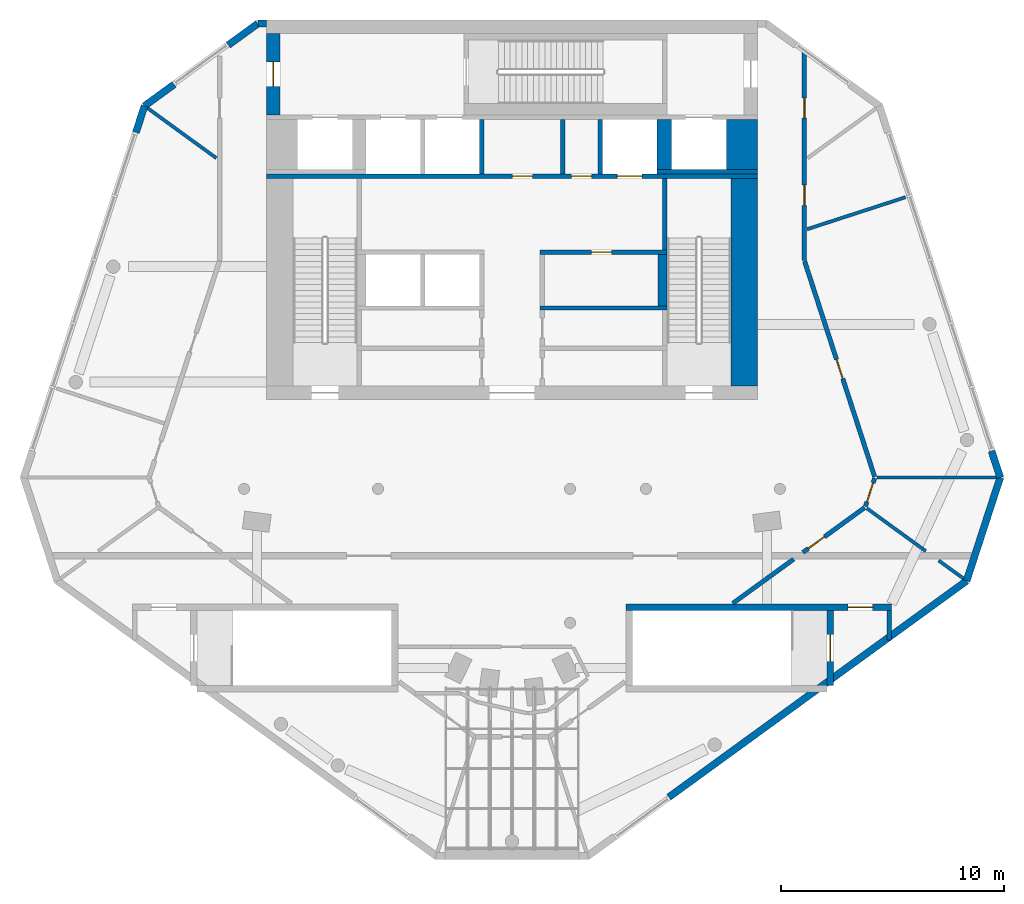
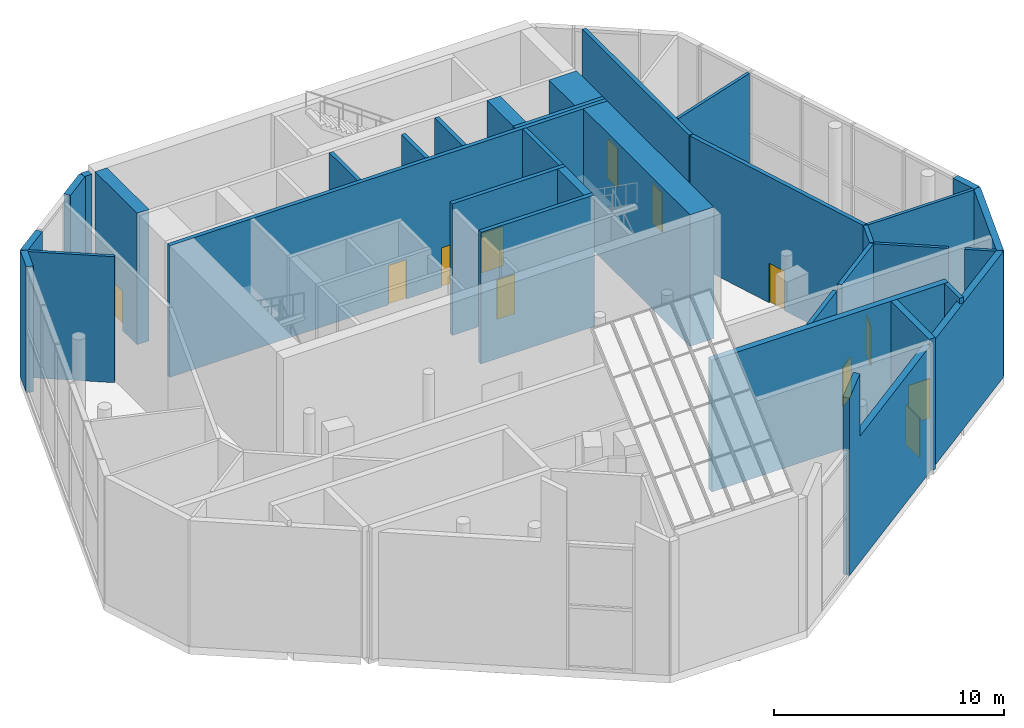
# One storey, part 6 of 9: 33 walls, 12 doors, 12 openings.
"""IFC4 building model written with IfcOpenShell, lengths in metres."""

from ifc_helpers import new_model, si_unit, direction, frame, frame_2d, origin, place, context, subcontext, project, spatial, polyline, rectangle, outline, extrude, material, layer, layer_set, type_object, element, fill, save


model = new_model("IFC4")

# Units and contexts
model_context = context("Model", 3, precision=1e-05, world=origin(), true_north=direction((0.0, 1.0)))
body_context = subcontext(model_context, "Body", "Model", "MODEL_VIEW")
ifc_project = project(units=[si_unit("LENGTHUNIT", "METRE"), si_unit("AREAUNIT", "SQUARE_METRE"), si_unit("VOLUMEUNIT", "CUBIC_METRE"), si_unit("PLANEANGLEUNIT", "RADIAN"), si_unit("MASSUNIT", "GRAM", prefix="KILO")], contexts=[model_context])

# Site, building, storey
site_placement = place(None, origin())
site = spatial("IfcSite", under=ifc_project, at=site_placement, CompositionType="ELEMENT")
building_placement = place(site_placement, origin())
building = spatial("IfcBuilding", under=site, at=building_placement, Name="White Candle Pilgrim Tower", CompositionType="ELEMENT")
storey_placement = place(building_placement, frame((0.0, 0.0, 321.699951171875)))
storey = spatial("IfcBuildingStorey", under=building, at=storey_placement, Name="L76", CompositionType="ELEMENT", Elevation=321.699951171875)

# Walls
ifc_material_1 = material(Name="Concrete C40/50", Category="concrete")
ifc_layer_1 = layer(ifc_material_1, 1.39990234375)
ifc_layer_set_1 = layer_set([ifc_layer_1], Name="Core wall 1400 mm Concrete C40/50")
wall_type_1 = type_object("IfcWallType", Name="Core wall 1400 mm Concrete C40/50", PredefinedType="SHEAR", material=ifc_layer_set_1)
wall_1_placement = place(storey_placement, frame((80.300048828125, 81.300048828125, 0.0), z_axis=(0.0, 0.0, 1.0), x_axis=(0.0, 1.0, 0.0)))
element("IfcWall", 1, at=wall_1_placement, inside=storey, type_object=wall_type_1, Name="WL-L76-C45", PredefinedType="SHEAR", context=body_context, shape_type="SweptSolid", body=[
    extrude(rectangle(XDim=2.25, YDim=1.39990234375, at=frame_2d((1.125, 0.0))), origin(), (0.0, 0.0, 1.0), 7.0),
])
ifc_layer_2 = layer(ifc_material_1, 0.199951171875)
ifc_layer_set_2 = layer_set([ifc_layer_2], Name="Core wall 200 mm Concrete C40/50")
wall_type_2 = type_object("IfcWallType", Name="Core wall 200 mm Concrete C40/50", PredefinedType="SHEAR", material=ifc_layer_set_2)
wall_2_placement = place(storey_placement, frame((86.89990234375, 60.238037109375, 0.0), z_axis=(0.0, 0.0, 1.0), x_axis=(0.0, 1.0, 0.0)))
element("IfcWall", 2, at=wall_2_placement, inside=storey, type_object=wall_type_2, Name="WL-L76-C08", PredefinedType="SHEAR", context=body_context, shape_type="SweptSolid", body=[
    extrude(rectangle(XDim=1.31201171875, YDim=0.199951171875, at=frame_2d((0.656005859375, 0.0))), origin(), (0.0, 0.0, 1.0), 7.0),
])
wall_3_placement = place(storey_placement, frame((76.5, 81.199951171875, 0.0), z_axis=(0.0, 0.0, 1.0), x_axis=(1.0, 0.0, 0.0)))
element("IfcWall", 3, at=wall_3_placement, inside=storey, type_object=wall_type_2, Name="WL-L76-C41", PredefinedType="SHEAR", context=body_context, shape_type="SweptSolid", body=[
    extrude(rectangle(XDim=4.5, YDim=0.199951171875, at=frame_2d((2.25, 0.0))), origin(), (0.0, 0.0, 1.0), 7.0),
])

# Wall, opening, door
ifc_layer_3 = layer(ifc_material_1, 0.60009765625)
ifc_layer_set_3 = layer_set([ifc_layer_3], Name="Core wall 600 mm Concrete C40/50")
wall_type_3 = type_object("IfcWallType", Name="Core wall 600 mm Concrete C40/50", PredefinedType="SHEAR", material=ifc_layer_set_3)
wall_4_placement = place(storey_placement, frame((59.300048828125, 83.75, 0.0), z_axis=(0.0, 0.0, 1.0), x_axis=(0.0, 1.0, 0.0)))
wall_4 = element("IfcWall", 4, at=wall_4_placement, inside=storey, type_object=wall_type_3, Name="WL-L76-C47", PredefinedType="SHEAR", context=body_context, shape_type="SweptSolid", body=[
    extrude(rectangle(XDim=3.64990234375, YDim=0.60009765625, at=frame_2d((1.824951171875, 0.0))), origin(), (0.0, 0.0, 1.0), 7.0),
])
opening_1_placement = place(wall_4_placement, frame((1.27490234375, 0.0, 0.0)))
opening_1 = element("IfcOpeningElement", 5, at=opening_1_placement, cuts=wall_4, Name="Opening L76-009", PredefinedType="OPENING", context=body_context, shape_type="SweptSolid", body=[
    extrude(rectangle(XDim=1.10009765625, YDim=2.10009765625, at=frame_2d((0.550048828125, 1.050048828125))), frame((0.0, 0.31005859375, 0.0), z_axis=(0.0, -1.0, 0.0), x_axis=(1.0, 0.0, 0.0)), (0.0, 0.0, 1.0), 0.6201171875),
])
ifc_material_2 = material(Name="Steel door leaf", Category="steel")
door_type_1 = type_object("IfcDoorType", Name="Fire door 1100 x 2100 EI 60", OperationType="NOTDEFINED", PredefinedType="DOOR", material=ifc_material_2)
door_1_placement = place(opening_1_placement, origin())
door_1 = element("IfcDoor", 6, at=door_1_placement, inside=storey, type_object=door_type_1, Name="Door L76-009", OperationType="SINGLE_SWING_LEFT", OverallHeight=2.10009765625, OverallWidth=1.10009765625, PredefinedType="DOOR", context=body_context, shape_type="SweptSolid", body=[
    extrude(rectangle(XDim=1.10009765625, YDim=2.10009765625, at=frame_2d((0.550048828125, 1.050048828125))), frame((0.0, 0.02490234375, 0.0), z_axis=(0.0, -1.0, 0.0), x_axis=(1.0, 0.0, 0.0)), (0.0, 0.0, 1.0), 0.050048828125),
])
fill(opening_1, door_1)

# Wall, openings, doors
ifc_material_3 = material(Name="Gypsum board on steel studs", Category="steel")
ifc_layer_4 = layer(ifc_material_3, 0.199951171875)
ifc_layer_set_4 = layer_set([ifc_layer_4], Name="Corridor wall 200 mm EI 45")
wall_type_4 = type_object("IfcWallType", Name="Corridor wall 200 mm EI 45", PredefinedType="PARTITIONING", material=ifc_layer_set_4)
wall_5_placement = place(storey_placement, frame((83.10009765625, 86.53466796875, 0.0), z_axis=(0.0, 0.0, 1.0), x_axis=(0.0, -1.0, 0.0)))
wall_5 = element("IfcWall", 7, at=wall_5_placement, inside=storey, type_object=wall_type_4, Name="WL-L76-P002", PredefinedType="PARTITIONING", context=body_context, shape_type="SweptSolid", body=[
    extrude(rectangle(XDim=9.30517578125, YDim=0.199951171875, at=frame_2d((4.652587890625, 0.0))), origin(), (0.0, 0.0, 1.0), 6.699951171875),
])
opening_2_placement = place(wall_5_placement, frame((5.93310546875, 0.0, 0.0)))
opening_2 = element("IfcOpeningElement", 8, at=opening_2_placement, cuts=wall_5, Name="Opening L76-110", PredefinedType="OPENING", context=body_context, shape_type="SweptSolid", body=[
    extrude(rectangle(XDim=0.89990234375, YDim=2.10009765625, at=frame_2d((0.449951171875, 1.050048828125))), frame((0.0, 0.10986328125, 0.0), z_axis=(0.0, -1.0, 0.0), x_axis=(1.0, 0.0, 0.0)), (0.0, 0.0, 1.0), 0.219970703125),
])
opening_3_placement = place(wall_5_placement, frame((2.03076171875, 0.0, 0.0)))
opening_3 = element("IfcOpeningElement", 9, at=opening_3_placement, cuts=wall_5, Name="Opening L76-111", PredefinedType="OPENING", context=body_context, shape_type="SweptSolid", body=[
    extrude(rectangle(XDim=0.89990234375, YDim=2.10009765625, at=frame_2d((0.449951171875, 1.050048828125))), frame((0.0, 0.10986328125, 0.0), z_axis=(0.0, -1.0, 0.0), x_axis=(1.0, 0.0, 0.0)), (0.0, 0.0, 1.0), 0.219970703125),
])
door_type_2 = type_object("IfcDoorType", Name="Fire door 900 x 2100 EI 30", OperationType="NOTDEFINED", PredefinedType="DOOR", material=ifc_material_2)
door_2_placement = place(opening_2_placement, origin())
door_2 = element("IfcDoor", 10, at=door_2_placement, inside=storey, type_object=door_type_2, Name="Door L76-110", OperationType="SINGLE_SWING_RIGHT", OverallHeight=2.10009765625, OverallWidth=0.89990234375, PredefinedType="DOOR", context=body_context, shape_type="SweptSolid", body=[
    extrude(rectangle(XDim=0.89990234375, YDim=2.10009765625, at=frame_2d((0.449951171875, 1.050048828125))), frame((0.0, 0.02490234375, 0.0), z_axis=(0.0, -1.0, 0.0), x_axis=(1.0, 0.0, 0.0)), (0.0, 0.0, 1.0), 0.050048828125),
])
fill(opening_2, door_2)
door_3_placement = place(opening_3_placement, origin())
door_3 = element("IfcDoor", 11, at=door_3_placement, inside=storey, type_object=door_type_2, Name="Door L76-111", OperationType="SINGLE_SWING_LEFT", OverallHeight=2.10009765625, OverallWidth=0.89990234375, PredefinedType="DOOR", context=body_context, shape_type="SweptSolid", body=[
    extrude(rectangle(XDim=0.89990234375, YDim=2.10009765625, at=frame_2d((0.449951171875, 1.050048828125))), frame((0.0, 0.02490234375, 0.0), z_axis=(0.0, -1.0, 0.0), x_axis=(1.0, 0.0, 0.0)), (0.0, 0.0, 1.0), 0.050048828125),
])
fill(opening_3, door_3)

# Wall, opening, door
wall_6_placement = place(storey_placement, frame((83.10498046875, 77.19873046875, 0.0), z_axis=(0.0, 0.0, 1.0), x_axis=(0.309014322992, -0.951057384276, 0.0)))
wall_6 = element("IfcWall", 12, at=wall_6_placement, inside=storey, type_object=wall_type_4, Name="WL-L76-P003", PredefinedType="PARTITIONING", context=body_context, shape_type="SweptSolid", body=[
    extrude(rectangle(XDim=10.15625, YDim=0.199951171875, at=frame_2d((5.078125, 0.0))), origin(), (0.0, 0.0, 1.0), 6.699951171875),
])
opening_4_placement = place(wall_6_placement, frame((4.636474609375, 0.0, 0.0)))
opening_4 = element("IfcOpeningElement", 13, at=opening_4_placement, cuts=wall_6, Name="Opening L76-109", PredefinedType="OPENING", context=body_context, shape_type="SweptSolid", body=[
    extrude(rectangle(XDim=0.89990234375, YDim=2.10009765625, at=frame_2d((0.449951171875, 1.050048828125))), frame((0.0, 0.10986328125, 0.0), z_axis=(0.0, -1.0, 0.0), x_axis=(1.0, 0.0, 0.0)), (0.0, 0.0, 1.0), 0.219970703125),
])
door_4_placement = place(opening_4_placement, origin())
door_4 = element("IfcDoor", 14, at=door_4_placement, inside=storey, type_object=door_type_2, Name="Door L76-109", OperationType="SINGLE_SWING_LEFT", OverallHeight=2.10009765625, OverallWidth=0.89990234375, PredefinedType="DOOR", context=body_context, shape_type="SweptSolid", body=[
    extrude(rectangle(XDim=0.89990234375, YDim=2.10009765625, at=frame_2d((0.449951171875, 1.050048828125))), frame((0.0, 0.02490234375, 0.0), z_axis=(0.0, -1.0, 0.0), x_axis=(1.0, 0.0, 0.0)), (0.0, 0.0, 1.0), 0.050048828125),
])
fill(opening_4, door_4)

wall_7_placement = place(storey_placement, frame((86.243408203125, 67.477783203125, 0.0), z_axis=(0.0, 0.0, 1.0), x_axis=(-0.309069492054, -0.951039457163, 0.0)))
wall_7 = element("IfcWall", 15, at=wall_7_placement, inside=storey, type_object=wall_type_4, Name="WL-L76-P004", PredefinedType="PARTITIONING", context=body_context, shape_type="SweptSolid", body=[
    extrude(rectangle(XDim=1.331787109375, YDim=0.199951171875, at=frame_2d((0.666015625, 0.0))), origin(), (0.0, 0.0, 1.0), 6.699951171875),
])
opening_5_placement = place(wall_7_placement, frame((0.2158203125, 0.0, 0.0)))
opening_5 = element("IfcOpeningElement", 16, at=opening_5_placement, cuts=wall_7, Name="Opening L76-116", PredefinedType="OPENING", context=body_context, shape_type="SweptSolid", body=[
    extrude(rectangle(XDim=0.89990234375, YDim=2.10009765625, at=frame_2d((0.449951171875, 1.050048828125))), frame((0.0, 0.10986328125, 0.0), z_axis=(0.0, -1.0, 0.0), x_axis=(1.0, 0.0, 0.0)), (0.0, 0.0, 1.0), 0.219970703125),
])
door_5_placement = place(opening_5_placement, origin())
door_5 = element("IfcDoor", 17, at=door_5_placement, inside=storey, type_object=door_type_2, Name="Door L76-116", OperationType="SINGLE_SWING_RIGHT", OverallHeight=2.10009765625, OverallWidth=0.89990234375, PredefinedType="DOOR", context=body_context, shape_type="SweptSolid", body=[
    extrude(rectangle(XDim=0.89990234375, YDim=2.10009765625, at=frame_2d((0.449951171875, 1.050048828125))), frame((0.0, 0.02490234375, 0.0), z_axis=(0.0, -1.0, 0.0), x_axis=(1.0, 0.0, 0.0)), (0.0, 0.0, 1.0), 0.050048828125),
])
fill(opening_5, door_5)

wall_8_placement = place(storey_placement, frame((85.795654296875, 66.161376953125, 0.0), z_axis=(0.0, 0.0, 1.0), x_axis=(-0.80899208188, -0.587819539872, 0.0)))
wall_8 = element("IfcWall", 18, at=wall_8_placement, inside=storey, type_object=wall_type_4, Name="WL-L76-P005", PredefinedType="PARTITIONING", context=body_context, shape_type="SweptSolid", body=[
    extrude(rectangle(XDim=3.421875, YDim=0.199951171875, at=frame_2d((1.7109375, 0.0))), origin(), (0.0, 0.0, 1.0), 6.699951171875),
])
opening_6_placement = place(wall_8_placement, frame((2.21875, 0.0, 0.0)))
opening_6 = element("IfcOpeningElement", 19, at=opening_6_placement, cuts=wall_8, Name="Opening L76-108", PredefinedType="OPENING", context=body_context, shape_type="SweptSolid", body=[
    extrude(rectangle(XDim=0.89990234375, YDim=2.10009765625, at=frame_2d((0.449951171875, 1.050048828125))), frame((0.0, 0.10986328125, 0.0), z_axis=(0.0, -1.0, 0.0), x_axis=(1.0, 0.0, 0.0)), (0.0, 0.0, 1.0), 0.219970703125),
])
door_6_placement = place(opening_6_placement, origin())
door_6 = element("IfcDoor", 20, at=door_6_placement, inside=storey, type_object=door_type_2, Name="Door L76-108", OperationType="SINGLE_SWING_RIGHT", OverallHeight=2.10009765625, OverallWidth=0.89990234375, PredefinedType="DOOR", context=body_context, shape_type="SweptSolid", body=[
    extrude(rectangle(XDim=0.89990234375, YDim=2.10009765625, at=frame_2d((0.449951171875, 1.050048828125))), frame((0.0, 0.02490234375, 0.0), z_axis=(0.0, -1.0, 0.0), x_axis=(1.0, 0.0, 0.0)), (0.0, 0.0, 1.0), 0.050048828125),
])
fill(opening_6, door_6)

# Walls
wall_9_placement = place(storey_placement, frame((82.614501953125, 63.85009765625, 0.0), z_axis=(0.0, 0.0, 1.0), x_axis=(-0.809017922832, -0.587783974379, 0.0)))
element("IfcWall", 21, at=wall_9_placement, inside=storey, type_object=wall_type_4, Name="WL-L76-P006", PredefinedType="PARTITIONING", context=body_context, shape_type="SweptSolid", body=[
    extrude(rectangle(XDim=3.3701171875, YDim=0.199951171875, at=frame_2d((1.68505859375, 0.0))), origin(), (0.0, 0.0, 1.0), 6.699951171875),
])
ifc_material_4 = material(Name="Precast concrete C40/50", Category="concrete")
ifc_layer_5 = layer(ifc_material_4, 0.320068359375)
ifc_layer_set_5 = layer_set([ifc_layer_5], Name="Facade wall EW1 precast concrete C40/50 pier wall with timber-lined reveals")
wall_type_5 = type_object("IfcWallType", Name="Facade wall EW1 precast concrete C40/50 pier wall with timber-lined reveals", PredefinedType="SOLIDWALL", material=ifc_layer_set_5)
wall_10_placement = place(storey_placement, frame((77.02587890625, 53.18896484375, 0.0), z_axis=(0.0, 0.0, 1.0), x_axis=(0.809009420969, 0.587795676051, 0.0)))
element("IfcWall", 22, at=wall_10_placement, inside=storey, type_object=wall_type_5, Name="Facade wall L76 SE", PredefinedType="SOLIDWALL", context=body_context, shape_type="SweptSolid", body=[
    extrude(outline(polyline([(0.0, 0.0), (16.4873046875, 0.0), (16.4853515625, 6.699951171875), (1.125732421875, 6.699951171875), (1.123779296875, 10.011962890625), (0.0, 9.42724609375), (0.0, 0.0)])), frame((0.0, 0.16015625, 0.0), z_axis=(0.0, -1.0, 0.0), x_axis=(1.0, 0.0, 0.0)), (0.0, 0.0, 1.0), 0.320068359375),
])
wall_11_placement = place(storey_placement, frame((90.3642578125, 62.880126953125, 0.0), z_axis=(0.0, 0.0, 1.0), x_axis=(0.309024817117, 0.951053974497, 0.0)))
element("IfcWall", 23, at=wall_11_placement, inside=storey, type_object=wall_type_5, Name="Facade wall L76 E chamfer", PredefinedType="SOLIDWALL", context=body_context, shape_type="SweptSolid", body=[
    extrude(rectangle(XDim=4.86669921875, YDim=0.320068359375, at=frame_2d((2.433349609375, 0.0))), origin(), (0.0, 0.0, 1.0), 6.699951171875),
])
wall_12_placement = place(storey_placement, frame((91.8681640625, 67.508544921875, 0.0), z_axis=(0.0, 0.0, 1.0), x_axis=(-0.308896217873, 0.951095750481, 0.0)))
element("IfcWall", 24, at=wall_12_placement, inside=storey, type_object=wall_type_5, Name="Facade wall L76 ENE", PredefinedType="SOLIDWALL", context=body_context, shape_type="SweptSolid", body=[
    extrude(rectangle(XDim=1.250244140625, YDim=0.320068359375, at=frame_2d((0.625, 0.0))), origin(), (0.0, 0.0, 1.0), 6.699951171875),
])
wall_13_placement = place(storey_placement, frame((59.0, 87.840087890625, 0.0), z_axis=(0.0, 0.0, 1.0), x_axis=(-1.0, 0.0, 0.0)))
element("IfcWall", 25, at=wall_13_placement, inside=storey, type_object=wall_type_5, Name="Facade wall L76 N", PredefinedType="SOLIDWALL", context=body_context, shape_type="SweptSolid", body=[
    extrude(rectangle(XDim=0.385009765625, YDim=0.320068359375, at=frame_2d((0.1923828125, 0.0))), origin(), (0.0, 0.0, 1.0), 6.699951171875),
])
wall_14_placement = place(storey_placement, frame((58.614990234375, 87.840087890625, 0.0), z_axis=(0.0, 0.0, 1.0), x_axis=(-0.809000445028, -0.58780802984, 0.0)))
element("IfcWall", 26, at=wall_14_placement, inside=storey, type_object=wall_type_5, Name="Facade wall L76 NW chamfer", PredefinedType="SOLIDWALL", context=body_context, shape_type="SweptSolid", body=[
    extrude(rectangle(XDim=1.636962890625, YDim=0.320068359375, at=frame_2d((0.818359375, 0.0))), origin(), (0.0, 0.0, 1.0), 6.699951171875),
])
wall_15_placement = place(storey_placement, frame((54.86376953125, 85.11474609375, 0.0), z_axis=(0.0, 0.0, 1.0), x_axis=(-0.808948900957, -0.587878963428, 0.0)))
element("IfcWall", 27, at=wall_15_placement, inside=storey, type_object=wall_type_5, Name="Facade wall L76 NW chamfer", PredefinedType="SOLIDWALL", context=body_context, shape_type="SweptSolid", body=[
    extrude(rectangle(XDim=1.63671875, YDim=0.320068359375, at=frame_2d((0.818359375, 0.0))), origin(), (0.0, 0.0, 1.0), 6.699951171875),
])
wall_16_placement = place(storey_placement, frame((53.539794921875, 84.152587890625, 0.0), z_axis=(0.0, 0.0, 1.0), x_axis=(-0.309130228309, -0.951019716907, 0.0)))
element("IfcWall", 28, at=wall_16_placement, inside=storey, type_object=wall_type_5, Name="Facade wall L76 WNW", PredefinedType="SOLIDWALL", context=body_context, shape_type="SweptSolid", body=[
    extrude(rectangle(XDim=1.250244140625, YDim=0.320068359375, at=frame_2d((0.625, 0.0))), origin(), (0.0, 0.0, 1.0), 6.699951171875),
])
ifc_layer_6 = layer(ifc_material_3, 0.199951171875)
ifc_layer_set_6 = layer_set([ifc_layer_6], Name="Lobby wall 200 mm EI 60")
wall_type_6 = type_object("IfcWallType", Name="Lobby wall 200 mm EI 60", PredefinedType="PARTITIONING", material=ifc_layer_set_6)
wall_17_placement = place(storey_placement, frame((72.280029296875, 81.10009765625, 0.0), z_axis=(0.0, 0.0, 1.0), x_axis=(0.0, 1.0, 0.0)))
element("IfcWall", 29, at=wall_17_placement, inside=storey, type_object=wall_type_6, Name="WL-L76-C39", PredefinedType="PARTITIONING", context=body_context, shape_type="SweptSolid", body=[
    extrude(rectangle(XDim=2.449951171875, YDim=0.199951171875, at=frame_2d((1.22509765625, 0.0))), origin(), (0.0, 0.0, 1.0), 6.699951171875),
])
ifc_layer_7 = layer(ifc_material_3, 0.14990234375)
ifc_layer_set_7 = layer_set([ifc_layer_7], Name="Partition 150 mm EI 60")
wall_type_7 = type_object("IfcWallType", Name="Partition 150 mm EI 60", PredefinedType="PARTITIONING", material=ifc_layer_set_7)
wall_18_placement = place(storey_placement, frame((53.67578125, 84.0537109375, 0.0), z_axis=(0.0, 0.0, 1.0), x_axis=(0.809018840269, -0.587782711629, 0.0)))
element("IfcWall", 30, at=wall_18_placement, inside=storey, type_object=wall_type_7, Name="WL-L76-P015", PredefinedType="PARTITIONING", context=body_context, shape_type="SweptSolid", body=[
    extrude(rectangle(XDim=3.80712890625, YDim=0.14990234375, at=frame_2d((1.903564453125, 0.0))), origin(), (0.0, 0.0, 1.0), 6.699951171875),
])
wall_19_placement = place(storey_placement, frame((90.228271484375, 62.97900390625, 0.0), z_axis=(0.0, 0.0, 1.0), x_axis=(-0.809065225247, 0.587718862464, 0.0)))
element("IfcWall", 31, at=wall_19_placement, inside=storey, type_object=wall_type_7, Name="WL-L76-P021", PredefinedType="PARTITIONING", context=body_context, shape_type="SweptSolid", body=[
    extrude(rectangle(XDim=1.378662109375, YDim=0.14990234375, at=frame_2d((0.689453125, 0.0))), origin(), (0.0, 0.0, 1.0), 6.699951171875),
])
wall_20_placement = place(storey_placement, frame((88.532958984375, 64.210693359375, 0.0), z_axis=(0.0, 0.0, 1.0), x_axis=(-0.809030138474, 0.587767160567, 0.0)))
element("IfcWall", 32, at=wall_20_placement, inside=storey, type_object=wall_type_7, Name="WL-L76-P022", PredefinedType="PARTITIONING", context=body_context, shape_type="SweptSolid", body=[
    extrude(rectangle(XDim=3.26611328125, YDim=0.14990234375, at=frame_2d((1.633056640625, 0.0))), origin(), (0.0, 0.0, 1.0), 6.699951171875),
])
wall_21_placement = place(storey_placement, frame((91.699951171875, 67.508544921875, 0.0), z_axis=(0.0, 0.0, 1.0), x_axis=(-1.0, 0.0, 0.0)))
element("IfcWall", 33, at=wall_21_placement, inside=storey, type_object=wall_type_7, Name="WL-L76-P023", PredefinedType="PARTITIONING", context=body_context, shape_type="SweptSolid", body=[
    extrude(rectangle(XDim=5.361572265625, YDim=0.14990234375, at=frame_2d((2.6806640625, 0.0))), origin(), (0.0, 0.0, 1.0), 6.699951171875),
])
wall_22_placement = place(storey_placement, frame((87.62158203125, 80.060791015625, 0.0), z_axis=(0.0, 0.0, 1.0), x_axis=(-0.951068201984, -0.30898102721, 0.0)))
element("IfcWall", 34, at=wall_22_placement, inside=storey, type_object=wall_type_7, Name="WL-L76-P026", PredefinedType="PARTITIONING", context=body_context, shape_type="SweptSolid", body=[
    extrude(rectangle(XDim=4.624755859375, YDim=0.14990234375, at=frame_2d((2.3125, 0.0))), origin(), (0.0, 0.0, 1.0), 6.699951171875),
])
ifc_layer_8 = layer(ifc_material_1, 0.199951171875)
ifc_layer_set_8 = layer_set([ifc_layer_8], Name="Shaft wall 200 mm Concrete C40/50")
wall_type_8 = type_object("IfcWallType", Name="Shaft wall 200 mm Concrete C40/50", PredefinedType="SHEAR", material=ifc_layer_set_8)
for number, where, z_axis, x_axis, name in (
    (35, (68.64990234375, 81.10009765625, 0.0), (0.0, 0.0, 1.0), (0.0, 1.0, 0.0), "WL-L76-C38"),
    (36, (73.949951171875, 81.10009765625, 0.0), (0.0, 0.0, 1.0), (0.0, 1.0, 0.0), "WL-L76-C40"),
):
    element("IfcWall", number, at=place(storey_placement, frame(where, z_axis=z_axis, x_axis=x_axis)), inside=storey, type_object=wall_type_8, Name=name, PredefinedType="SHEAR", context=body_context, shape_type="SweptSolid", body=[
        extrude(rectangle(XDim=2.449951171875, YDim=0.199951171875, at=frame_2d((1.22509765625, 0.0))), origin(), (0.0, 0.0, 1.0), 7.0),
    ])
ifc_layer_9 = layer(ifc_material_1, 0.64990234375)
ifc_layer_set_9 = layer_set([ifc_layer_9], Name="Shaft wall 650 mm Concrete C40/50")
wall_type_9 = type_object("IfcWallType", Name="Shaft wall 650 mm Concrete C40/50", PredefinedType="SHEAR", material=ifc_layer_set_9)
wall_23_placement = place(storey_placement, frame((76.824951171875, 81.300048828125, 0.0), z_axis=(0.0, 0.0, 1.0), x_axis=(0.0, 1.0, 0.0)))
element("IfcWall", 37, at=wall_23_placement, inside=storey, type_object=wall_type_9, Name="WL-L76-C44", PredefinedType="SHEAR", context=body_context, shape_type="SweptSolid", body=[
    extrude(rectangle(XDim=2.25, YDim=0.64990234375, at=frame_2d((1.125, 0.0))), origin(), (0.0, 0.0, 1.0), 7.0),
])
ifc_layer_10 = layer(ifc_material_1, 1.199951171875)
ifc_layer_set_10 = layer_set([ifc_layer_10], Name="Stair shaft wall 1200 mm Concrete C40/50")
wall_type_10 = type_object("IfcWallType", Name="Stair shaft wall 1200 mm Concrete C40/50", PredefinedType="SHEAR", material=ifc_layer_set_10)
wall_24_placement = place(storey_placement, frame((80.39990234375, 71.60009765625, 0.0), z_axis=(0.0, 0.0, 1.0), x_axis=(0.0, 1.0, 0.0)))
element("IfcWall", 38, at=wall_24_placement, inside=storey, type_object=wall_type_10, Name="WL-L76-C17", PredefinedType="SHEAR", context=body_context, shape_type="SweptSolid", body=[
    extrude(rectangle(XDim=9.2998046875, YDim=1.199951171875, at=frame_2d((4.64990234375, 0.0))), origin(), (0.0, 0.0, 1.0), 7.0),
])
ifc_layer_11 = layer(ifc_material_1, 0.199951171875)
ifc_layer_set_11 = layer_set([ifc_layer_11], Name="Stair shaft wall 200 mm Concrete C40/50")
wall_type_11 = type_object("IfcWallType", Name="Stair shaft wall 200 mm Concrete C40/50", PredefinedType="SHEAR", material=ifc_layer_set_11)
wall_25_placement = place(storey_placement, frame((71.25, 75.10009765625, 0.0), z_axis=(0.0, 0.0, 1.0), x_axis=(1.0, 0.0, 0.0)))
element("IfcWall", 39, at=wall_25_placement, inside=storey, type_object=wall_type_11, Name="WL-L76-C25", PredefinedType="SHEAR", context=body_context, shape_type="SweptSolid", body=[
    extrude(rectangle(XDim=5.699951171875, YDim=0.199951171875, at=frame_2d((2.85009765625, 0.0))), origin(), (0.0, 0.0, 1.0), 7.0),
])

# Wall, opening, door
wall_26_placement = place(storey_placement, frame((71.25, 77.60009765625, 0.0), z_axis=(0.0, 0.0, 1.0), x_axis=(1.0, 0.0, 0.0)))
wall_26 = element("IfcWall", 40, at=wall_26_placement, inside=storey, type_object=wall_type_11, Name="WL-L76-C32", PredefinedType="SHEAR", context=body_context, shape_type="SweptSolid", body=[
    extrude(rectangle(XDim=5.699951171875, YDim=0.199951171875, at=frame_2d((2.85009765625, 0.0))), origin(), (0.0, 0.0, 1.0), 7.0),
])
opening_7_placement = place(wall_26_placement, frame((2.300048828125, 0.0, 0.0)))
opening_7 = element("IfcOpeningElement", 41, at=opening_7_placement, cuts=wall_26, Name="Opening L76-020", PredefinedType="OPENING", context=body_context, shape_type="SweptSolid", body=[
    extrude(rectangle(XDim=0.89990234375, YDim=2.10009765625, at=frame_2d((0.449951171875, 1.050048828125))), frame((0.0, 0.10986328125, 0.0), z_axis=(0.0, -1.0, 0.0), x_axis=(1.0, 0.0, 0.0)), (0.0, 0.0, 1.0), 0.219970703125),
])
door_7_placement = place(opening_7_placement, origin())
door_7 = element("IfcDoor", 42, at=door_7_placement, inside=storey, type_object=door_type_2, Name="Door L76-020", OperationType="SINGLE_SWING_RIGHT", OverallHeight=2.10009765625, OverallWidth=0.89990234375, PredefinedType="DOOR", context=body_context, shape_type="SweptSolid", body=[
    extrude(rectangle(XDim=0.89990234375, YDim=2.10009765625, at=frame_2d((0.449951171875, 1.050048828125))), frame((0.0, 0.02490234375, 0.0), z_axis=(0.0, -1.0, 0.0), x_axis=(1.0, 0.0, 0.0)), (0.0, 0.0, 1.0), 0.050048828125),
])
fill(opening_7, door_7)

# Wall
wall_27_placement = place(storey_placement, frame((76.85009765625, 77.699951171875, 0.0), z_axis=(0.0, 0.0, 1.0), x_axis=(0.0, 1.0, 0.0)))
element("IfcWall", 43, at=wall_27_placement, inside=storey, type_object=wall_type_11, Name="WL-L76-C34", PredefinedType="SHEAR", context=body_context, shape_type="SweptSolid", body=[
    extrude(rectangle(XDim=3.199951171875, YDim=0.199951171875, at=frame_2d((1.60009765625, 0.0))), origin(), (0.0, 0.0, 1.0), 7.0),
])

# Wall, openings, doors
wall_28_placement = place(storey_placement, frame((59.0, 81.0, 0.0), z_axis=(0.0, 0.0, 1.0), x_axis=(1.0, 0.0, 0.0)))
wall_28 = element("IfcWall", 44, at=wall_28_placement, inside=storey, type_object=wall_type_11, Name="WL-L76-C35", PredefinedType="SHEAR", context=body_context, shape_type="SweptSolid", body=[
    extrude(rectangle(XDim=22.0, YDim=0.199951171875, at=frame_2d((11.0, 0.0))), origin(), (0.0, 0.0, 1.0), 7.0),
])
opening_8_placement = place(wall_28_placement, frame((15.72509765625, 0.0, 0.0)))
opening_8 = element("IfcOpeningElement", 45, at=opening_8_placement, cuts=wall_28, Name="Opening L76-017", PredefinedType="OPENING", context=body_context, shape_type="SweptSolid", body=[
    extrude(rectangle(XDim=1.10009765625, YDim=2.10009765625, at=frame_2d((0.550048828125, 1.050048828125))), frame((0.0, 0.10986328125, 0.0), z_axis=(0.0, -1.0, 0.0), x_axis=(1.0, 0.0, 0.0)), (0.0, 0.0, 1.0), 0.219970703125),
])
opening_9_placement = place(wall_28_placement, frame((11.014892578125, 0.0, 0.0)))
opening_9 = element("IfcOpeningElement", 46, at=opening_9_placement, cuts=wall_28, Name="Opening L76-021", PredefinedType="OPENING", context=body_context, shape_type="SweptSolid", body=[
    extrude(rectangle(XDim=0.89990234375, YDim=2.10009765625, at=frame_2d((0.449951171875, 1.050048828125))), frame((0.0, 0.10986328125, 0.0), z_axis=(0.0, -1.0, 0.0), x_axis=(1.0, 0.0, 0.0)), (0.0, 0.0, 1.0), 0.219970703125),
])
opening_10_placement = place(wall_28_placement, frame((13.6650390625, 0.0, 0.0)))
opening_10 = element("IfcOpeningElement", 47, at=opening_10_placement, cuts=wall_28, Name="Opening L76-022", PredefinedType="OPENING", context=body_context, shape_type="SweptSolid", body=[
    extrude(rectangle(XDim=0.89990234375, YDim=2.10009765625, at=frame_2d((0.449951171875, 1.050048828125))), frame((0.0, 0.10986328125, 0.0), z_axis=(0.0, -1.0, 0.0), x_axis=(1.0, 0.0, 0.0)), (0.0, 0.0, 1.0), 0.219970703125),
])
door_8_placement = place(opening_9_placement, origin())
door_8 = element("IfcDoor", 48, at=door_8_placement, inside=storey, type_object=door_type_2, Name="Door L76-021", OperationType="SINGLE_SWING_LEFT", OverallHeight=2.10009765625, OverallWidth=0.89990234375, PredefinedType="DOOR", context=body_context, shape_type="SweptSolid", body=[
    extrude(rectangle(XDim=0.89990234375, YDim=2.10009765625, at=frame_2d((0.449951171875, 1.050048828125))), frame((0.0, 0.02490234375, 0.0), z_axis=(0.0, -1.0, 0.0), x_axis=(1.0, 0.0, 0.0)), (0.0, 0.0, 1.0), 0.050048828125),
])
fill(opening_9, door_8)
door_9_placement = place(opening_10_placement, origin())
door_9 = element("IfcDoor", 49, at=door_9_placement, inside=storey, type_object=door_type_2, Name="Door L76-022", OperationType="SINGLE_SWING_RIGHT", OverallHeight=2.10009765625, OverallWidth=0.89990234375, PredefinedType="DOOR", context=body_context, shape_type="SweptSolid", body=[
    extrude(rectangle(XDim=0.89990234375, YDim=2.10009765625, at=frame_2d((0.449951171875, 1.050048828125))), frame((0.0, 0.02490234375, 0.0), z_axis=(0.0, -1.0, 0.0), x_axis=(1.0, 0.0, 0.0)), (0.0, 0.0, 1.0), 0.050048828125),
])
fill(opening_10, door_9)
ifc_material_5 = material(Name="Stainless steel", Category="steel")
door_type_3 = type_object("IfcDoorType", Name="Lift landing door 1100 x 2100 E 60", OperationType="DOUBLE_DOOR_SLIDING", PredefinedType="DOOR", material=ifc_material_5)
door_10_placement = place(opening_8_placement, origin())
door_10 = element("IfcDoor", 50, at=door_10_placement, inside=storey, type_object=door_type_3, Name="Door L76-017", OperationType="DOUBLE_DOOR_SLIDING", OverallHeight=2.10009765625, OverallWidth=1.10009765625, PredefinedType="DOOR", context=body_context, shape_type="SweptSolid", body=[
    extrude(rectangle(XDim=1.10009765625, YDim=2.10009765625, at=frame_2d((0.550048828125, 1.050048828125))), frame((0.0, 0.02490234375, 0.0), z_axis=(0.0, -1.0, 0.0), x_axis=(1.0, 0.0, 0.0)), (0.0, 0.0, 1.0), 0.050048828125),
])
fill(opening_8, door_10)

# Wall, opening, door
ifc_layer_12 = layer(ifc_material_1, 0.300048828125)
ifc_layer_set_12 = layer_set([ifc_layer_12], Name="Stair shaft wall 300 mm Concrete C40/50")
wall_type_12 = type_object("IfcWallType", Name="Stair shaft wall 300 mm Concrete C40/50", PredefinedType="SHEAR", material=ifc_layer_set_12)
wall_29_placement = place(storey_placement, frame((84.25, 58.199951171875, 0.0), z_axis=(0.0, 0.0, 1.0), x_axis=(0.0, 1.0, 0.0)))
wall_29 = element("IfcWall", 51, at=wall_29_placement, inside=storey, type_object=wall_type_12, Name="WL-L76-C06", PredefinedType="SHEAR", context=body_context, shape_type="SweptSolid", body=[
    extrude(rectangle(XDim=3.35009765625, YDim=0.300048828125, at=frame_2d((1.675048828125, 0.0))), origin(), (0.0, 0.0, 1.0), 7.0),
])
opening_11_placement = place(wall_29_placement, frame((1.074951171875, 0.0, 0.0)))
opening_11 = element("IfcOpeningElement", 52, at=opening_11_placement, cuts=wall_29, Name="Opening L76-014", PredefinedType="OPENING", context=body_context, shape_type="SweptSolid", body=[
    extrude(rectangle(XDim=1.199951171875, YDim=2.10009765625, at=frame_2d((0.60009765625, 1.050048828125))), frame((0.0, 0.159912109375, 0.0), z_axis=(0.0, -1.0, 0.0), x_axis=(1.0, 0.0, 0.0)), (0.0, 0.0, 1.0), 0.320068359375),
])
door_type_4 = type_object("IfcDoorType", Name="Fire door 1200 x 2100 EI 60", OperationType="NOTDEFINED", PredefinedType="DOOR", material=ifc_material_2)
door_11_placement = place(opening_11_placement, origin())
door_11 = element("IfcDoor", 53, at=door_11_placement, inside=storey, type_object=door_type_4, Name="Door L76-014", OperationType="SINGLE_SWING_RIGHT", OverallHeight=2.10009765625, OverallWidth=1.199951171875, PredefinedType="DOOR", context=body_context, shape_type="SweptSolid", body=[
    extrude(rectangle(XDim=1.199951171875, YDim=2.10009765625, at=frame_2d((0.60009765625, 1.050048828125))), frame((0.0, 0.02490234375, 0.0), z_axis=(0.0, -1.0, 0.0), x_axis=(1.0, 0.0, 0.0)), (0.0, 0.0, 1.0), 0.050048828125),
])
fill(opening_11, door_11)

wall_30_placement = place(storey_placement, frame((75.10009765625, 61.699951171875, 0.0), z_axis=(0.0, 0.0, 1.0), x_axis=(1.0, 0.0, 0.0)))
wall_30 = element("IfcWall", 54, at=wall_30_placement, inside=storey, type_object=wall_type_12, Name="WL-L76-C10", PredefinedType="SHEAR", context=body_context, shape_type="SweptSolid", body=[
    extrude(rectangle(XDim=11.89990234375, YDim=0.300048828125, at=frame_2d((5.949951171875, 0.0))), origin(), (0.0, 0.0, 1.0), 7.0),
])
opening_12_placement = place(wall_30_placement, frame((9.949951171875, 0.0, 0.0)))
opening_12 = element("IfcOpeningElement", 55, at=opening_12_placement, cuts=wall_30, Name="Opening L76-013", PredefinedType="OPENING", context=body_context, shape_type="SweptSolid", body=[
    extrude(rectangle(XDim=1.10009765625, YDim=2.10009765625, at=frame_2d((0.550048828125, 1.050048828125))), frame((0.0, 0.159912109375, 0.0), z_axis=(0.0, -1.0, 0.0), x_axis=(1.0, 0.0, 0.0)), (0.0, 0.0, 1.0), 0.320068359375),
])
door_12_placement = place(opening_12_placement, frame((1.10009765625, 0.0, 0.0), z_axis=(0.0, 0.0, 1.0), x_axis=(-1.0, 0.0, 0.0)))
door_12 = element("IfcDoor", 56, at=door_12_placement, inside=storey, type_object=door_type_1, Name="Door L76-013", OperationType="SINGLE_SWING_RIGHT", OverallHeight=2.10009765625, OverallWidth=1.10009765625, PredefinedType="DOOR", context=body_context, shape_type="SweptSolid", body=[
    extrude(rectangle(XDim=1.10009765625, YDim=2.10009765625, at=frame_2d((0.550048828125, 1.050048828125))), frame((0.0, 0.02490234375, 0.0), z_axis=(0.0, -1.0, 0.0), x_axis=(1.0, 0.0, 0.0)), (0.0, 0.0, 1.0), 0.050048828125),
])
fill(opening_12, door_12)

# Wall
ifc_layer_13 = layer(ifc_material_1, 0.39990234375)
ifc_layer_set_13 = layer_set([ifc_layer_13], Name="Stair shaft wall 400 mm Concrete C40/50")
wall_type_13 = type_object("IfcWallType", Name="Stair shaft wall 400 mm Concrete C40/50", PredefinedType="SHEAR", material=ifc_layer_set_13)
wall_31_placement = place(storey_placement, frame((76.75, 75.199951171875, 0.0), z_axis=(0.0, 0.0, 1.0), x_axis=(0.0, 1.0, 0.0)))
element("IfcWall", 57, at=wall_31_placement, inside=storey, type_object=wall_type_13, Name="WL-L76-C30", PredefinedType="SHEAR", context=body_context, shape_type="SweptSolid", body=[
    extrude(rectangle(XDim=2.300048828125, YDim=0.39990234375, at=frame_2d((1.14990234375, 0.0))), origin(), (0.0, 0.0, 1.0), 7.0),
])

save(model, "model.ifc")
